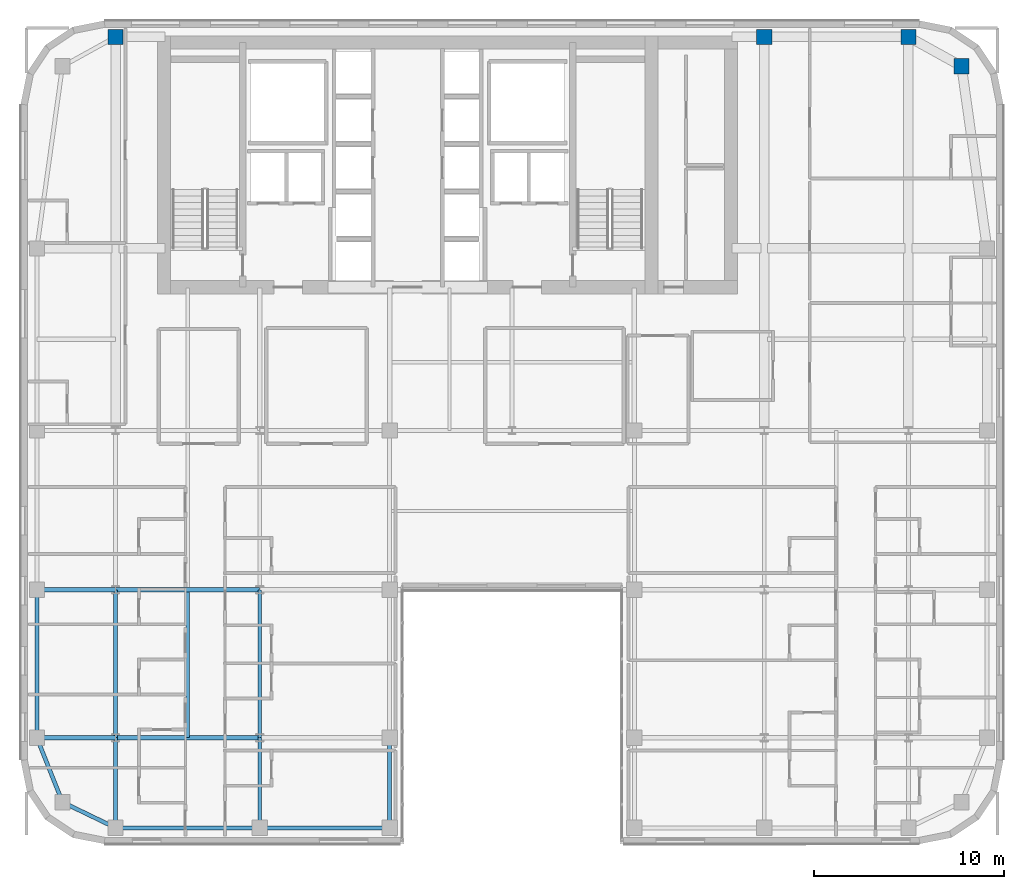
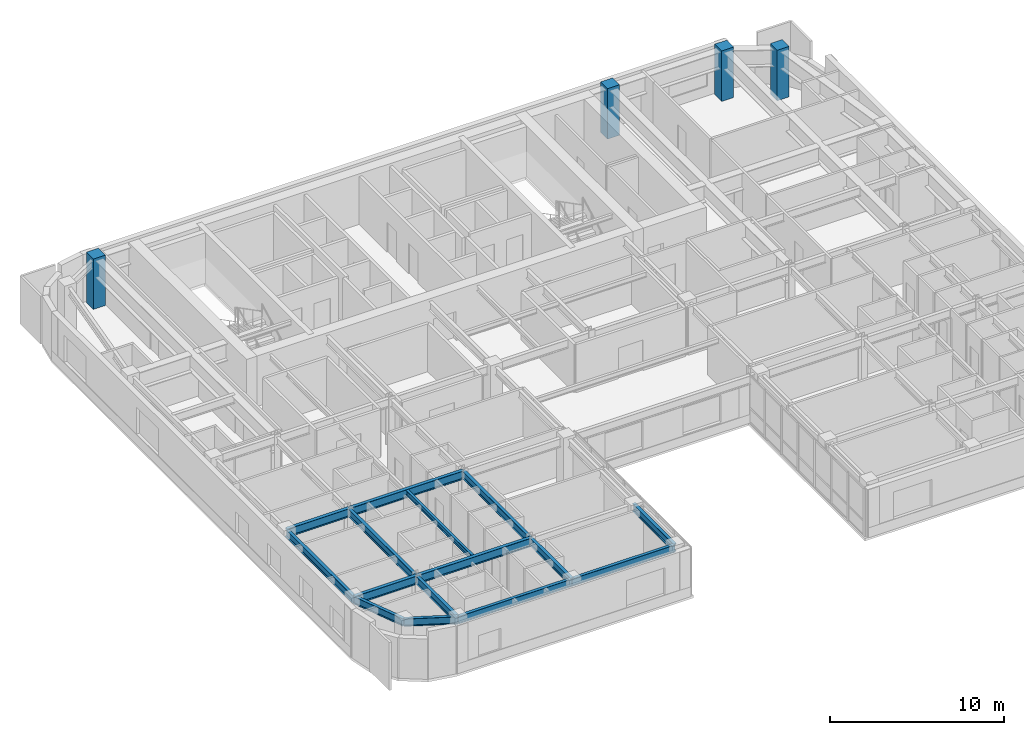
# One storey, part 2 of 21: 15 beams, 4 columns.
"""IFC4 building model written with IfcOpenShell, lengths in metres."""

import ifcopenshell
import ifcopenshell.guid

model = None  # the IFC model being written
_history = None  # IfcOwnerHistory: only IFC2X3 demands one
_inside = {}  # id of a spatial element -> (the spatial element, [elements in it])
_under = {}  # id of a project, library or spatial element -> (it, [spatial elements below it])
_declared = {}  # id of a project -> (the project, [libraries it declares])
_typed = {}  # id of a type object -> (the type object, [elements of that type])
_made_of = {}  # id of a material, layer set ... -> (it, [elements and type objects made of it])


def new_model(schema):
    """Start an empty IFC model of exactly this schema.

    Asked for "IFC4X3", IfcOpenShell would pick the latest addendum, in which some entities
    have other attributes; the version numbers below select the first issue.
    IFC2X3 requires an IfcOwnerHistory on every rooted entity: one is made here for all.
    """
    global model, _history
    if schema == "IFC4X3":
        model = ifcopenshell.file(schema_version=(4, 3, 0, 0))
    else:
        model = ifcopenshell.file(schema=schema)
    _inside.clear()
    _under.clear()
    _declared.clear()
    _typed.clear()
    _made_of.clear()
    _history = None
    if model.schema == "IFC2X3":
        org = make("IfcOrganization", Name="unknown")
        user = make(
            "IfcPersonAndOrganization",
            ThePerson=make("IfcPerson", FamilyName="unknown"),
            TheOrganization=org,
        )
        app = make(
            "IfcApplication",
            ApplicationDeveloper=org,
            Version="unknown",
            ApplicationFullName="unknown",
            ApplicationIdentifier="unknown",
        )
        _history = make(
            "IfcOwnerHistory",
            OwningUser=user,
            OwningApplication=app,
            ChangeAction="ADDED",
            CreationDate=0,
        )
    return model


def make(cls, **values):
    """One entity of the class cls with the attributes given. An attribute that is None is left unset."""
    return model.create_entity(
        cls, **{name: value for name, value in values.items() if value is not None}
    )


def rooted(cls, **values):
    """An entity with a GlobalId (a new one), such as an element, a storey or a relation."""
    return make(cls, GlobalId=ifcopenshell.guid.new(), OwnerHistory=_history, **values)


def si_unit(unit_type, name, prefix=None):
    """IfcSIUnit, for example si_unit("LENGTHUNIT", "METRE", prefix="MILLI")."""
    return make("IfcSIUnit", UnitType=unit_type, Prefix=prefix, Name=name)


def assignment(units):
    """IfcUnitAssignment: the units of a project."""
    return None if units is None else make("IfcUnitAssignment", Units=units)


def point(xyz):
    """IfcCartesianPoint."""
    return None if xyz is None else make("IfcCartesianPoint", Coordinates=xyz)


def direction(xyz):
    """IfcDirection."""
    return None if xyz is None else make("IfcDirection", DirectionRatios=xyz)


def frame(location, z_axis=None, x_axis=None):
    """IfcAxis2Placement3D, a coordinate frame: its origin and axes. An axis left out is left unset."""
    return make(
        "IfcAxis2Placement3D",
        Location=point(location),
        Axis=direction(z_axis),
        RefDirection=direction(x_axis),
    )


def frame_2d(location, x_axis=None):
    """IfcAxis2Placement2D, a coordinate frame in the plane: its origin and x axis."""
    return make(
        "IfcAxis2Placement2D", Location=point(location), RefDirection=direction(x_axis)
    )


def origin():
    """The frame at (0, 0, 0) with its axes left unset."""
    return frame((0.0, 0.0, 0.0))


def origin_2d():
    """The frame at (0, 0) in the plane with its x axis left unset."""
    return frame_2d((0.0, 0.0))


def place(relative_to, where):
    """IfcLocalPlacement: puts the frame where relative to a parent placement (None: the world)."""
    return make(
        "IfcLocalPlacement", PlacementRelTo=relative_to, RelativePlacement=where
    )


def context(
    kind, dimensions, precision=None, world=None, true_north=None, identifier=None
):
    """IfcGeometricRepresentationContext, for example the 3D "Model" context."""
    return make(
        "IfcGeometricRepresentationContext",
        ContextIdentifier=identifier,
        ContextType=kind,
        CoordinateSpaceDimension=dimensions,
        Precision=precision,
        WorldCoordinateSystem=world,
        TrueNorth=true_north,
    )


def subcontext(parent, identifier, kind, view, scale=None):
    """IfcGeometricRepresentationSubContext, for example "Body" below "Model"."""
    return make(
        "IfcGeometricRepresentationSubContext",
        ContextIdentifier=identifier,
        ContextType=kind,
        ParentContext=parent,
        TargetScale=scale,
        TargetView=view,
    )


def project(units=None, contexts=None):
    """IfcProject with its units and contexts."""
    return rooted(
        "IfcProject",
        Name="project",
        RepresentationContexts=contexts,
        UnitsInContext=assignment(units),
    )


def spatial(cls, under=None, at=None, **own):
    """A site, building, storey or space (cls), placed at a placement, below another one or the project."""
    s = rooted(cls, ObjectPlacement=at, **own)
    if under is not None:
        _under.setdefault(under.id(), (under, []))[1].append(s)
    return s


def profile(cls, at=None, kind="AREA", **sizes):
    """A parametric profile (cls). Its sizes go by their IFC names, for example OverallWidth=200.0."""
    return make(cls, ProfileType=kind, Position=at, **sizes)


def rectangle(**sizes):
    """IfcRectangleProfileDef."""
    return profile("IfcRectangleProfileDef", **sizes)


def i_section(**sizes):
    """IfcIShapeProfileDef."""
    return profile("IfcIShapeProfileDef", **sizes)


def extrude(swept, where, along, depth):
    """IfcExtrudedAreaSolid: the profile swept, set in the frame where, extruded along a direction by depth."""
    return make(
        "IfcExtrudedAreaSolid",
        SweptArea=swept,
        Position=where,
        ExtrudedDirection=direction(along),
        Depth=depth,
    )


def shape(context_of_items, identifier, shape_type, items):
    """IfcShapeRepresentation: the items that make up one representation, for example the "Body"."""
    return make(
        "IfcShapeRepresentation",
        ContextOfItems=context_of_items,
        RepresentationIdentifier=identifier,
        RepresentationType=shape_type,
        Items=items,
    )


def source(mapping_origin, context_of_items, identifier, shape_type, items):
    """IfcRepresentationMap: a shape defined once, which mapped items show again and again."""
    return make(
        "IfcRepresentationMap",
        MappingOrigin=mapping_origin,
        MappedRepresentation=shape(context_of_items, identifier, shape_type, items),
    )


def transform(
    local_origin,
    x_axis=None,
    y_axis=None,
    z_axis=None,
    scale=None,
    scale2=None,
    scale3=None,
    uniform=True,
):
    """IfcCartesianTransformationOperator3D, or its non-uniform kind. x_axis, y_axis, z_axis: its Axis1, 2, 3."""
    if uniform:
        return make(
            "IfcCartesianTransformationOperator3D",
            Axis1=direction(x_axis),
            Axis2=direction(y_axis),
            LocalOrigin=point(local_origin),
            Scale=scale,
            Axis3=direction(z_axis),
        )
    return make(
        "IfcCartesianTransformationOperator3DnonUniform",
        Axis1=direction(x_axis),
        Axis2=direction(y_axis),
        LocalOrigin=point(local_origin),
        Scale=scale,
        Axis3=direction(z_axis),
        Scale2=scale2,
        Scale3=scale3,
    )


def mapped(mapping_source, mapping_target):
    """IfcMappedItem: shows the shape of a source again, moved by a transform."""
    return make(
        "IfcMappedItem", MappingSource=mapping_source, MappingTarget=mapping_target
    )


def material(Name=None, Category=None):
    """IfcMaterial."""
    return make("IfcMaterial", Name=Name, Category=Category)


def material_profile(
    of_material, cross_section, Name=None, Category=None, Priority=None
):
    """IfcMaterialProfile: a cross section and its material."""
    return make(
        "IfcMaterialProfile",
        Name=Name,
        Material=of_material,
        Profile=cross_section,
        Priority=Priority,
        Category=Category,
    )


def profile_set(profiles, Name=None, composite=None):
    """IfcMaterialProfileSet."""
    return make(
        "IfcMaterialProfileSet",
        Name=Name,
        MaterialProfiles=profiles,
        CompositeProfile=composite,
    )


def made_of(thing, what):
    """Note that an element or type object is made of a material, layer set ...; save() writes the relation."""
    if what is not None:
        _made_of.setdefault(what.id(), (what, []))[1].append(thing)
    return thing


def type_object(cls, material=None, **own):
    """A type object (cls), such as IfcWallType, which elements share."""
    return made_of(rooted(cls, **own), material)


def type_shapes(of_type, sources):
    """Give a type object the sources (RepresentationMaps) that its elements show as mapped items."""
    of_type.RepresentationMaps = sources


def element(
    cls,
    number,
    at=None,
    inside=None,
    cuts=None,
    type_object=None,
    material=None,
    context=None,
    identifier="Body",
    shape_type=None,
    held_by="IfcProductDefinitionShape",
    body=None,
    shapes=None,
    **own,
):
    """One element of the class cls, such as IfcWall. Its Tag is "e" and its number.

    at: its placement. inside: the storey or other place that contains it. cuts: it is an
    opening in that element (IfcRelVoidsElement). A single representation is given by context,
    identifier, shape_type and body (its items); several are given by shapes. held_by: the class
    of the entity that holds the representations. save() writes the other relations.
    """
    e = rooted(cls, Tag="e%d" % number, ObjectPlacement=at, **own)
    if body is not None:
        shapes = [shape(context, identifier, shape_type, body)]
    if shapes is not None:
        e.Representation = make(held_by, Representations=shapes)
    if inside is not None:
        _inside.setdefault(inside.id(), (inside, []))[1].append(e)
    if cuts is not None:
        rooted(
            "IfcRelVoidsElement", RelatingBuildingElement=cuts, RelatedOpeningElement=e
        )
    if type_object is not None:
        _typed.setdefault(type_object.id(), (type_object, []))[1].append(e)
    return made_of(e, material)


def aggregate(whole, parts):
    """IfcRelAggregates: a whole, such as a stair, and the parts it consists of."""
    return rooted("IfcRelAggregates", RelatingObject=whole, RelatedObjects=parts)


def save(model, path):
    """Write the relations noted so far, then the file.

    IfcRelAggregates (storeys below a building ...), IfcRelContainedInSpatialStructure (elements
    in a storey), IfcRelDefinesByType, IfcRelAssociatesMaterial and IfcRelDeclares: one each for
    every whole, place, type object, material and project.
    """
    for whole, parts in _under.values():
        aggregate(whole, parts)
    for where, things in _inside.values():
        rooted(
            "IfcRelContainedInSpatialStructure",
            RelatedElements=things,
            RelatingStructure=where,
        )
    for kind, things in _typed.values():
        rooted("IfcRelDefinesByType", RelatedObjects=things, RelatingType=kind)
    for what, things in _made_of.values():
        rooted("IfcRelAssociatesMaterial", RelatedObjects=things, RelatingMaterial=what)
    for by, libraries in _declared.values():
        rooted("IfcRelDeclares", RelatingContext=by, RelatedDefinitions=libraries)
    model.write(path)


model = new_model("IFC4")

# Units and contexts
model_context = context("Model", 3, precision=1e-05, world=origin(), true_north=direction((0.0, 1.0)))
body_context = subcontext(model_context, "Body", "Model", "MODEL_VIEW")
ifc_project = project(units=[si_unit("LENGTHUNIT", "METRE"), si_unit("AREAUNIT", "SQUARE_METRE"), si_unit("VOLUMEUNIT", "CUBIC_METRE"), si_unit("PLANEANGLEUNIT", "RADIAN"), si_unit("MASSUNIT", "GRAM", prefix="KILO")], contexts=[model_context])

# Site, building, storey
site_placement = place(None, origin())
site = spatial("IfcSite", under=ifc_project, at=site_placement, CompositionType="ELEMENT")
building_placement = place(site_placement, origin())
building = spatial("IfcBuilding", under=site, at=building_placement, Name="Tolvann Quenvar Hotel", CompositionType="ELEMENT")
storey_placement = place(building_placement, frame((0.0, 0.0, 161.25)))
storey = spatial("IfcBuildingStorey", under=building, at=storey_placement, Name="L42", CompositionType="ELEMENT", Elevation=161.25)

# Columns
ifc_material_1 = material(Name="Concrete N50 (50 MPa)", Category="concrete")
ifc_material_profile_1 = material_profile(ifc_material_1, rectangle(XDim=0.800048828125, YDim=0.800048828125, at=origin_2d()), Name="RC800x800")
ifc_profile_set_1 = profile_set([ifc_material_profile_1], Name="Concrete N50 (50 MPa)")
column_type = type_object("IfcColumnType", Name="COL_RC800", PredefinedType="COLUMN", material=ifc_profile_set_1)
shared_shape_1 = source(origin(), body_context, "Body", "SweptSolid", [
    extrude(rectangle(XDim=0.800048828125, YDim=0.800048828125, at=origin_2d()), origin(), (0.0, 0.0, 1.0), 3.550048828125),
])
type_shapes(column_type, [shared_shape_1])
for number, where, z_axis, x_axis, name in (
    (1, (7.60009765625, 45.14990234375, 0.0), (0.0, 0.0, 1.0), (1.0, 0.0, 0.0), "Column CN (L42)"),
    (2, (41.800048828125, 45.14990234375, 0.0), (0.0, 0.0, 1.0), (1.0, 0.0, 0.0), "Column HN (L42)"),
    (3, (49.39990234375, 45.14990234375, 0.0), (0.0, 0.0, 1.0), (1.0, 0.0, 0.0), "Column IN (L42)"),
    (4, (52.199951171875, 43.60009765625, 0.0), (0.0, 0.0, 1.0), (1.0, 0.0, 0.0), "Column JN (L42)"),
):
    element("IfcColumn", number, at=place(storey_placement, frame(where, z_axis=z_axis, x_axis=x_axis)), inside=storey, type_object=column_type, Name=name, PredefinedType="COLUMN", context=body_context, shape_type="MappedRepresentation", body=[
        mapped(shared_shape_1, transform((0.0, 0.0, 0.0), x_axis=(1.0, 0.0, 0.0), y_axis=(0.0, 1.0, 0.0), z_axis=(0.0, 0.0, 1.0), scale=1.0)),
    ])

# Beams
ifc_material_2 = material(Name="Steel Grade 350", Category="steel")
ifc_material_profile_2 = material_profile(ifc_material_2, i_section(OverallWidth=0.208984375, OverallDepth=0.528076171875, WebThickness=0.009521484375, FlangeThickness=0.01318359375, FilletRadius=0.013916015625, at=origin_2d()), Name="530UB82")
ifc_profile_set_2 = profile_set([ifc_material_profile_2], Name="Steel Grade 350")
beam_type_1 = type_object("IfcBeamType", Name="BM_SPAND_530UB82", PredefinedType="SPANDREL", material=ifc_profile_set_2)
shared_shape_2 = source(origin(), body_context, "Body", "SweptSolid", [
    extrude(i_section(OverallWidth=0.208984375, OverallDepth=0.528076171875, WebThickness=0.009521484375, FlangeThickness=0.01318359375, FilletRadius=0.013916015625, at=origin_2d()), origin(), (0.0, 0.0, 1.0), 7.599853515625),
])
beam_1_placement = place(storey_placement, frame((7.60009765625, 3.449951171875, 3.10595703125), z_axis=(1.0, 0.0, 0.0), x_axis=(0.0, 1.0, 0.0)))
element("IfcBeam", 5, at=beam_1_placement, inside=storey, type_object=beam_type_1, Name="BM-L42-EW-2-C2-D2", PredefinedType="SPANDREL", context=body_context, shape_type="MappedRepresentation", body=[
    mapped(shared_shape_2, transform((0.0, 0.0, 0.0), x_axis=(1.0, 0.0, 0.0), y_axis=(0.0, 1.0, 0.0), z_axis=(0.0, 0.0, 1.0), scale=1.0)),
])
shared_shape_3 = source(origin(), body_context, "Body", "SweptSolid", [
    extrude(i_section(OverallWidth=0.208984375, OverallDepth=0.528076171875, WebThickness=0.009521484375, FlangeThickness=0.01318359375, FilletRadius=0.013916015625, at=origin_2d()), origin(), (0.0, 0.0, 1.0), 6.85009765625),
])
beam_2_placement = place(storey_placement, frame((15.199951171875, 3.449951171875, 3.10595703125), z_axis=(1.0, 0.0, 0.0), x_axis=(0.0, 1.0, 0.0)))
element("IfcBeam", 6, at=beam_2_placement, inside=storey, type_object=beam_type_1, Name="BM-L42-EW-2-D2-E2", PredefinedType="SPANDREL", context=body_context, shape_type="MappedRepresentation", body=[
    mapped(shared_shape_3, transform((0.0, 0.0, 0.0), x_axis=(1.0, 0.0, 0.0), y_axis=(0.0, 1.0, 0.0), z_axis=(0.0, 0.0, 1.0), scale=1.0)),
])
shared_shape_4 = source(origin(), body_context, "Body", "SweptSolid", [
    extrude(i_section(OverallWidth=0.208984375, OverallDepth=0.528076171875, WebThickness=0.009521484375, FlangeThickness=0.01318359375, FilletRadius=0.013916015625, at=origin_2d()), origin(), (0.0, 0.0, 1.0), 7.800048828125),
])
beam_3_placement = place(storey_placement, frame((3.449951171875, 8.199951171875, 3.10595703125), z_axis=(0.0, 1.0, 0.0), x_axis=(-1.0, 0.0, 0.0)))
element("IfcBeam", 7, at=beam_3_placement, inside=storey, type_object=beam_type_1, Name="BM-L42-NS-B3-B4", PredefinedType="SPANDREL", context=body_context, shape_type="MappedRepresentation", body=[
    mapped(shared_shape_4, transform((0.0, 0.0, 0.0), x_axis=(1.0, 0.0, 0.0), y_axis=(0.0, 1.0, 0.0), z_axis=(0.0, 0.0, 1.0), scale=1.0)),
])
ifc_material_profile_3 = material_profile(ifc_material_2, i_section(OverallWidth=0.208984375, OverallDepth=0.532958984375, WebThickness=0.01025390625, FlangeThickness=0.015625, FilletRadius=0.013916015625, at=origin_2d()), Name="530UB92")
ifc_profile_set_3 = profile_set([ifc_material_profile_3], Name="Steel Grade 350")
beam_type_2 = type_object("IfcBeamType", Name="BM_GIRD_530UB92", PredefinedType="BEAM", material=ifc_profile_set_3)
shared_shape_5 = source(origin(), body_context, "Body", "SweptSolid", [
    extrude(i_section(OverallWidth=0.208984375, OverallDepth=0.532958984375, WebThickness=0.01025390625, FlangeThickness=0.015625, FilletRadius=0.013916015625, at=origin_2d()), origin(), (0.0, 0.0, 1.0), 7.800048828125),
])
for number, where, z_axis, x_axis, name in (
    (8, (7.60009765625, 8.199951171875, 3.103515625), (0.0, 1.0, 0.0), (-1.0, 0.0, 0.0), "BM-L42-NS-C3-C4"),
    (9, (15.199951171875, 8.199951171875, 3.103515625), (0.0, 1.0, 0.0), (-1.0, 0.0, 0.0), "BM-L42-NS-D3-D4"),
):
    element("IfcBeam", number, at=place(storey_placement, frame(where, z_axis=z_axis, x_axis=x_axis)), inside=storey, type_object=beam_type_2, Name=name, PredefinedType="BEAM", context=body_context, shape_type="MappedRepresentation", body=[
        mapped(shared_shape_5, transform((0.0, 0.0, 0.0), x_axis=(1.0, 0.0, 0.0), y_axis=(0.0, 1.0, 0.0), z_axis=(0.0, 0.0, 1.0), scale=1.0)),
    ])
shared_shape_6 = source(origin(), body_context, "Body", "SweptSolid", [
    extrude(i_section(OverallWidth=0.208984375, OverallDepth=0.528076171875, WebThickness=0.009521484375, FlangeThickness=0.01318359375, FilletRadius=0.013916015625, at=origin_2d()), origin(), (0.0, 0.0, 1.0), 3.108642578125),
])
beam_4_placement = place(storey_placement, frame((4.800048828125, 4.800048828125, 3.10595703125), z_axis=(0.900759354066, -0.434318530646, 0.0), x_axis=(0.434318530646, 0.900759354066, 0.0)))
element("IfcBeam", 10, at=beam_4_placement, inside=storey, type_object=beam_type_1, Name="BM-L42-EW-2-B2-C2", PredefinedType="SPANDREL", context=body_context, shape_type="MappedRepresentation", body=[
    mapped(shared_shape_6, transform((0.0, 0.0, 0.0), x_axis=(1.0, 0.0, 0.0), y_axis=(0.0, 1.0, 0.0), z_axis=(0.0, 0.0, 1.0), scale=1.0)),
])
ifc_material_profile_4 = material_profile(ifc_material_2, i_section(OverallWidth=0.22802734375, OverallDepth=0.60205078125, WebThickness=0.010498046875, FlangeThickness=0.014892578125, FilletRadius=0.013916015625, at=origin_2d()), Name="610UB101")
ifc_profile_set_4 = profile_set([ifc_material_profile_4], Name="Steel Grade 350")
beam_type_3 = type_object("IfcBeamType", Name="BM_GIRD_610UB101", PredefinedType="BEAM", material=ifc_profile_set_4)
shared_shape_7 = source(origin(), body_context, "Body", "SweptSolid", [
    extrude(i_section(OverallWidth=0.22802734375, OverallDepth=0.60205078125, WebThickness=0.010498046875, FlangeThickness=0.014892578125, FilletRadius=0.013916015625, at=origin_2d()), origin(), (0.0, 0.0, 1.0), 4.150146484375),
])
for number, where, z_axis, x_axis, name in (
    (11, (3.449951171875, 8.199951171875, 3.069091796875), (1.0, 0.0, 0.0), (0.0, 1.0, 0.0), "BM-L42-EW-3-B3-C3"),
    (12, (3.449951171875, 16.0, 3.069091796875), (1.0, 0.0, 0.0), (0.0, 1.0, 0.0), "BM-L42-EW-4-B4-C4"),
):
    element("IfcBeam", number, at=place(storey_placement, frame(where, z_axis=z_axis, x_axis=x_axis)), inside=storey, type_object=beam_type_3, Name=name, PredefinedType="BEAM", context=body_context, shape_type="MappedRepresentation", body=[
        mapped(shared_shape_7, transform((0.0, 0.0, 0.0), x_axis=(1.0, 0.0, 0.0), y_axis=(0.0, 1.0, 0.0), z_axis=(0.0, 0.0, 1.0), scale=1.0)),
    ])
shared_shape_8 = source(origin(), body_context, "Body", "SweptSolid", [
    extrude(i_section(OverallWidth=0.22802734375, OverallDepth=0.60205078125, WebThickness=0.010498046875, FlangeThickness=0.014892578125, FilletRadius=0.013916015625, at=origin_2d()), origin(), (0.0, 0.0, 1.0), 7.599853515625),
])
type_shapes(beam_type_3, [shared_shape_7, shared_shape_8])
for number, where, z_axis, x_axis, name in (
    (13, (7.60009765625, 8.199951171875, 3.069091796875), (1.0, 0.0, 0.0), (0.0, 1.0, 0.0), "BM-L42-EW-3-C3-D3"),
    (14, (7.60009765625, 16.0, 3.069091796875), (1.0, 0.0, 0.0), (0.0, 1.0, 0.0), "BM-L42-EW-4-C4-D4"),
):
    element("IfcBeam", number, at=place(storey_placement, frame(where, z_axis=z_axis, x_axis=x_axis)), inside=storey, type_object=beam_type_3, Name=name, PredefinedType="BEAM", context=body_context, shape_type="MappedRepresentation", body=[
        mapped(shared_shape_8, transform((0.0, 0.0, 0.0), x_axis=(1.0, 0.0, 0.0), y_axis=(0.0, 1.0, 0.0), z_axis=(0.0, 0.0, 1.0), scale=1.0)),
    ])
shared_shape_9 = source(origin(), body_context, "Body", "SweptSolid", [
    extrude(i_section(OverallWidth=0.208984375, OverallDepth=0.528076171875, WebThickness=0.009521484375, FlangeThickness=0.01318359375, FilletRadius=0.013916015625, at=origin_2d()), origin(), (0.0, 0.0, 1.0), 3.658203125),
])
type_shapes(beam_type_1, [shared_shape_2, shared_shape_3, shared_shape_4, shared_shape_6, shared_shape_9])
beam_5_placement = place(storey_placement, frame((4.800048828125, 4.800048828125, 3.10595703125), z_axis=(-0.369065163807, 0.929403521009, 0.0), x_axis=(-0.929403521009, -0.369065163807, 0.0)))
element("IfcBeam", 15, at=beam_5_placement, inside=storey, type_object=beam_type_1, Name="BM-L42-NS-B2-B3", PredefinedType="SPANDREL", context=body_context, shape_type="MappedRepresentation", body=[
    mapped(shared_shape_9, transform((0.0, 0.0, 0.0), x_axis=(1.0, 0.0, 0.0), y_axis=(0.0, 1.0, 0.0), z_axis=(0.0, 0.0, 1.0), scale=1.0)),
])
shared_shape_10 = source(origin(), body_context, "Body", "SweptSolid", [
    extrude(i_section(OverallWidth=0.208984375, OverallDepth=0.532958984375, WebThickness=0.01025390625, FlangeThickness=0.015625, FilletRadius=0.013916015625, at=origin_2d()), origin(), (0.0, 0.0, 1.0), 4.75),
])
type_shapes(beam_type_2, [shared_shape_5, shared_shape_10])
for number, where, z_axis, x_axis, name in (
    (16, (7.60009765625, 3.449951171875, 3.103515625), (0.0, 1.0, 0.0), (-1.0, 0.0, 0.0), "BM-L42-NS-C2-C3"),
    (17, (15.199951171875, 3.449951171875, 3.103515625), (0.0, 1.0, 0.0), (-1.0, 0.0, 0.0), "BM-L42-NS-D2-D3"),
    (18, (22.050048828125, 3.449951171875, 3.103515625), (0.0, 1.0, 0.0), (-1.0, 0.0, 0.0), "BM-L42-NS-E2-E3"),
):
    element("IfcBeam", number, at=place(storey_placement, frame(where, z_axis=z_axis, x_axis=x_axis)), inside=storey, type_object=beam_type_2, Name=name, PredefinedType="BEAM", context=body_context, shape_type="MappedRepresentation", body=[
        mapped(shared_shape_10, transform((0.0, 0.0, 0.0), x_axis=(1.0, 0.0, 0.0), y_axis=(0.0, 1.0, 0.0), z_axis=(0.0, 0.0, 1.0), scale=1.0)),
    ])
ifc_material_profile_5 = material_profile(ifc_material_2, i_section(OverallWidth=0.172119140625, OverallDepth=0.35888671875, WebThickness=0.008056640625, FlangeThickness=0.012939453125, FilletRadius=0.011474609375, at=origin_2d()), Name="360UB57")
ifc_profile_set_5 = profile_set([ifc_material_profile_5], Name="Steel Grade 350")
beam_type_4 = type_object("IfcBeamType", Name="BM_JOIST_360UB57", PredefinedType="JOIST", material=ifc_profile_set_5)
shared_shape_11 = source(origin(), body_context, "Body", "SweptSolid", [
    extrude(i_section(OverallWidth=0.172119140625, OverallDepth=0.35888671875, WebThickness=0.008056640625, FlangeThickness=0.012939453125, FilletRadius=0.011474609375, at=origin_2d()), origin(), (0.0, 0.0, 1.0), 7.692138671875),
])
type_shapes(beam_type_4, [shared_shape_11])
beam_6_placement = place(storey_placement, frame((11.39990234375, 8.199951171875, 3.1904296875), z_axis=(0.0, 1.0, 0.0), x_axis=(-1.0, 0.0, 0.0)))
element("IfcBeam", 19, at=beam_6_placement, inside=storey, type_object=beam_type_4, Name="BJ-L42-114-82", PredefinedType="JOIST", context=body_context, shape_type="MappedRepresentation", body=[
    mapped(shared_shape_11, transform((0.0, 0.0, 0.0), x_axis=(1.0, 0.0, 0.0), y_axis=(0.0, 1.0, 0.0), z_axis=(0.0, 0.0, 1.0), scale=1.0)),
])

save(model, "model.ifc")
